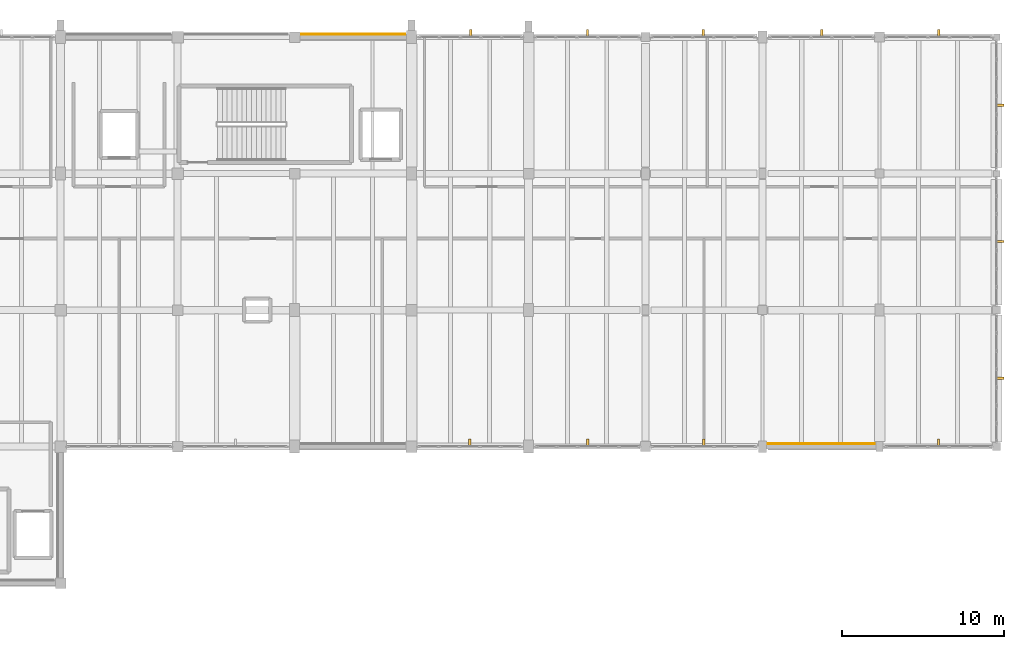
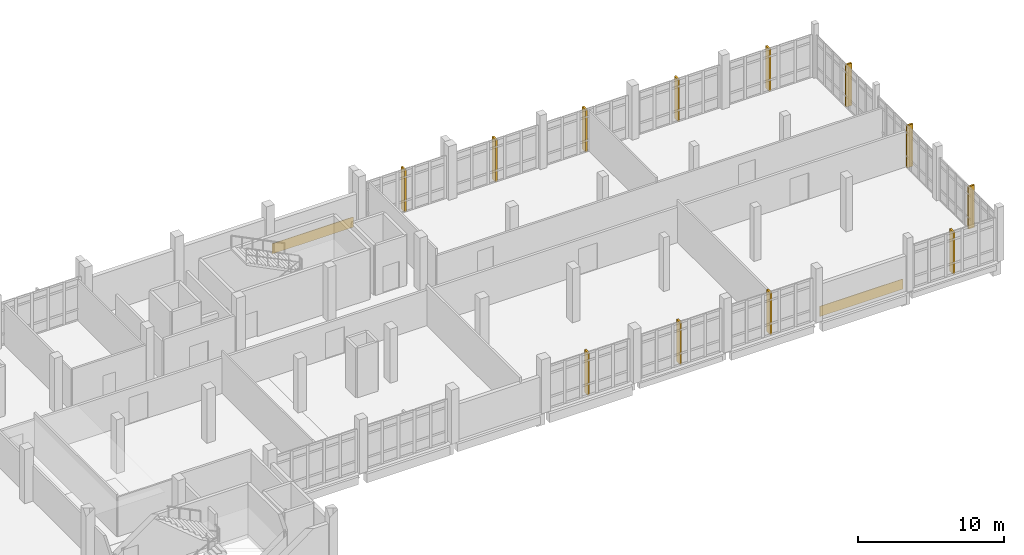
# One storey, part 57 of 57: 12 shading devices, 2 coverings.
"""IFC4 building model written with IfcOpenShell, lengths in metres."""

from ifc_helpers import new_model, si_unit, direction, frame, origin, origin_2d, place, context, subcontext, project, spatial, rectangle, extrude, material, layer, layer_set, type_object, element, save


model = new_model("IFC4")

# Units and contexts
model_context = context("Model", 3, precision=1e-05, world=origin(), true_north=direction((0.0, 1.0)))
body_context = subcontext(model_context, "Body", "Model", "MODEL_VIEW")
ifc_project = project(units=[si_unit("LENGTHUNIT", "METRE"), si_unit("AREAUNIT", "SQUARE_METRE"), si_unit("VOLUMEUNIT", "CUBIC_METRE"), si_unit("PLANEANGLEUNIT", "RADIAN"), si_unit("MASSUNIT", "GRAM", prefix="KILO")], contexts=[model_context])

# Site, building, storey
site_placement = place(None, origin())
site = spatial("IfcSite", under=ifc_project, at=site_placement, CompositionType="ELEMENT")
building_placement = place(site_placement, origin())
building = spatial("IfcBuilding", under=site, at=building_placement, Name="Kalluvel Institute of Natural Sciences", CompositionType="ELEMENT")
storey_placement = place(building_placement, frame((0.0, 0.0, 23.39990234375)))
storey = spatial("IfcBuildingStorey", under=building, at=storey_placement, Name="L05", CompositionType="ELEMENT", Elevation=23.39990234375)

# Coverings
ifc_material = material(Name="Sadarahalli Grey Granite Ashlar Concrete M40", Category="masonry")
ifc_layer = layer(ifc_material, 0.044921875)
ifc_layer_set = layer_set([ifc_layer], Name="Sadarahalli Grey Granite Ashlar Concrete M40")
covering_type = type_object("IfcCoveringType", Name="COV-CLAD-STONE", PredefinedType="CLADDING", material=ifc_layer_set)
covering_1_placement = place(storey_placement, frame((75.21240234375, 128.179931640625, 0.025146484375), z_axis=(0.0, 0.0, 1.0), x_axis=(1.0, 0.0, 0.0)))
element("IfcCovering", 1, at=covering_1_placement, inside=storey, type_object=covering_type, Name="L05 Sadarahalli granite plinth spandrel cladding 65", PredefinedType="CLADDING", context=body_context, shape_type="SweptSolid", body=[
    extrude(rectangle(XDim=6.4150390625, YDim=0.044921875, at=origin_2d()), origin(), (0.0, 0.0, 1.0), 0.85009765625),
])
covering_2_placement = place(storey_placement, frame((104.012451171875, 102.969970703125, 0.025146484375), z_axis=(0.0, 0.0, 1.0), x_axis=(1.0, 0.0, 0.0)))
element("IfcCovering", 2, at=covering_2_placement, inside=storey, type_object=covering_type, Name="L05 Sadarahalli granite plinth spandrel cladding 67", PredefinedType="CLADDING", context=body_context, shape_type="SweptSolid", body=[
    extrude(rectangle(XDim=6.56494140625, YDim=0.044921875, at=origin_2d()), origin(), (0.0, 0.0, 1.0), 0.85009765625),
])

# Shading devices
shading_device_type = type_object("IfcShadingDeviceType", Name="SHD-FIN-STONE", PredefinedType="USERDEFINED", material=ifc_material)
for number, where, z_axis, x_axis, name in (
    (3, (82.4375, 128.219970703125, 0.0), (0.0, 0.0, 1.0), (1.0, 0.0, 0.0), "L05 monsoon lancet shading fin 63"),
    (4, (89.625, 128.219970703125, 0.0), (0.0, 0.0, 1.0), (1.0, 0.0, 0.0), "L05 monsoon lancet shading fin 64"),
    (5, (96.75, 128.219970703125, 0.0), (0.0, 0.0, 1.0), (1.0, 0.0, 0.0), "L05 monsoon lancet shading fin 65"),
    (6, (104.03759765625, 128.219970703125, 0.0), (0.0, 0.0, 1.0), (1.0, 0.0, 0.0), "L05 monsoon lancet shading fin 66"),
    (7, (111.25, 128.219970703125, 0.0), (0.0, 0.0, 1.0), (1.0, 0.0, 0.0), "L05 monsoon lancet shading fin 67"),
    (8, (82.375, 103.02001953125, 0.0), (0.0, 0.0, 1.0), (1.0, 0.0, 0.0), "L05 monsoon lancet shading fin 70"),
    (9, (89.64990234375, 103.02001953125, 0.0), (0.0, 0.0, 1.0), (1.0, 0.0, 0.0), "L05 monsoon lancet shading fin 71"),
    (10, (96.77490234375, 103.02001953125, 0.0), (0.0, 0.0, 1.0), (1.0, 0.0, 0.0), "L05 monsoon lancet shading fin 72"),
    (11, (111.22509765625, 103.02001953125, 0.0), (0.0, 0.0, 1.0), (1.0, 0.0, 0.0), "L05 monsoon lancet shading fin 73"),
    (12, (115.02001953125, 107.0, 0.0), (0.0, 0.0, 1.0), (0.0, 1.0, 0.0), "L05 monsoon lancet shading fin 74"),
    (13, (115.02001953125, 115.425048828125, 0.0), (0.0, 0.0, 1.0), (0.0, 1.0, 0.0), "L05 monsoon lancet shading fin 75"),
    (14, (115.02001953125, 123.800048828125, 0.0), (0.0, 0.0, 1.0), (0.0, 1.0, 0.0), "L05 monsoon lancet shading fin 76"),
):
    element("IfcShadingDevice", number, at=place(storey_placement, frame(where, z_axis=z_axis, x_axis=x_axis)), inside=storey, type_object=shading_device_type, Name=name, ObjectType="MONSOON FIN", PredefinedType="USERDEFINED", context=body_context, shape_type="SweptSolid", body=[
        extrude(rectangle(XDim=0.139892578125, YDim=0.47998046875, at=origin_2d()), origin(), (0.0, 0.0, 1.0), 3.530029296875),
    ])

save(model, "model.ifc")
